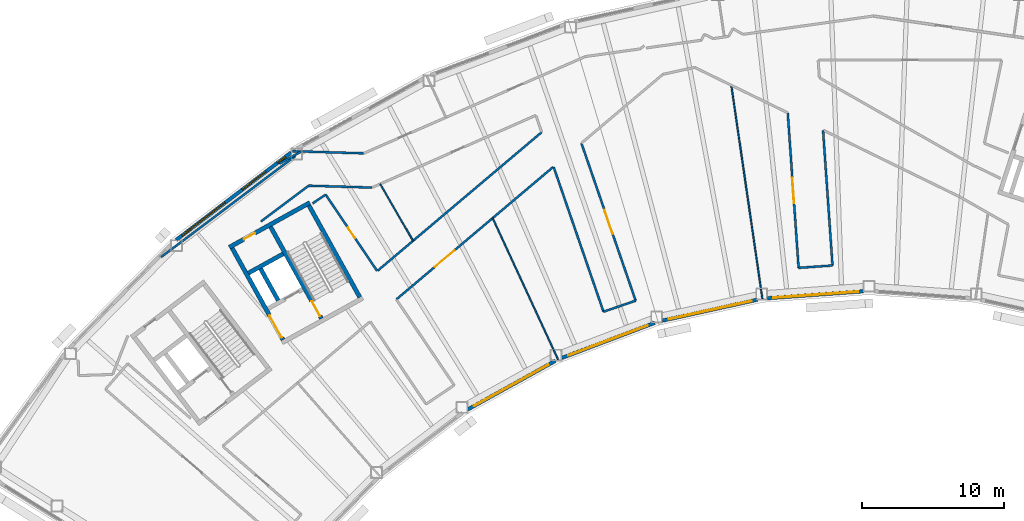
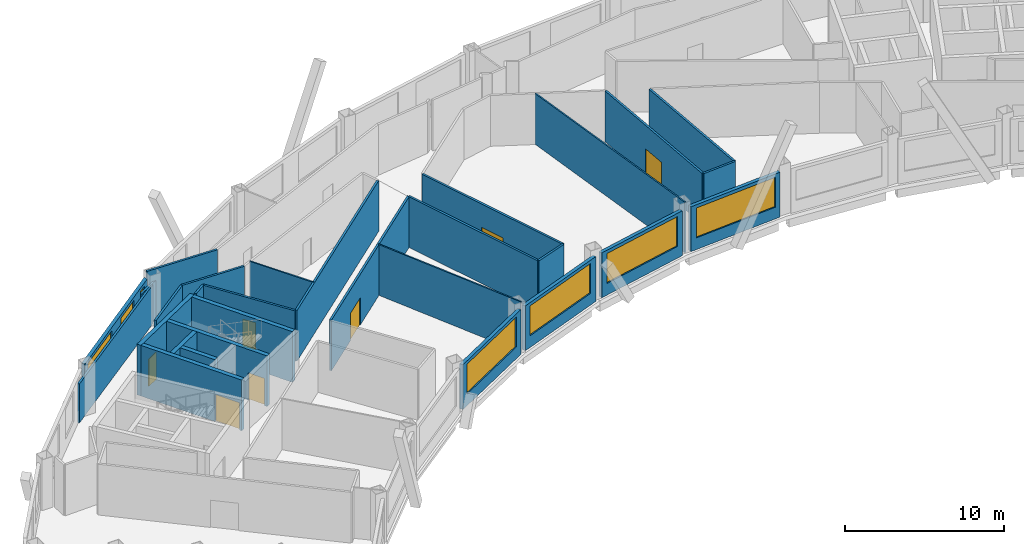
# One storey, part 6 of 14: 29 walls, 7 doors, 7 windows, 14 openings.
"""IFC4 building model written with IfcOpenShell, lengths in metres."""

from ifc_helpers import new_model, si_unit, direction, frame, frame_2d, origin, place, context, subcontext, project, spatial, rectangle, extrude, material, layer, layer_set, type_object, element, fill, save


model = new_model("IFC4")

# Units and contexts
model_context = context("Model", 3, precision=1e-05, world=origin(), true_north=direction((0.0, 1.0)))
body_context = subcontext(model_context, "Body", "Model", "MODEL_VIEW")
ifc_project = project(units=[si_unit("LENGTHUNIT", "METRE"), si_unit("AREAUNIT", "SQUARE_METRE"), si_unit("VOLUMEUNIT", "CUBIC_METRE"), si_unit("PLANEANGLEUNIT", "RADIAN"), si_unit("MASSUNIT", "GRAM", prefix="KILO")], contexts=[model_context])

# Site, building, storey
site_placement = place(None, origin())
site = spatial("IfcSite", under=ifc_project, at=site_placement, CompositionType="ELEMENT")
building_placement = place(site_placement, origin())
building = spatial("IfcBuilding", under=site, at=building_placement, Name="Tuul Gate Civic Tower", CompositionType="ELEMENT")
storey_placement = place(building_placement, frame((0.0, 0.0, 256.800048828125)))
storey = spatial("IfcBuildingStorey", under=building, at=storey_placement, Name="Level 58", CompositionType="ELEMENT", Elevation=256.800048828125)

# Wall
ifc_material_1 = material(Name="Concrete C50/60", Category="concrete")
ifc_layer_1 = layer(ifc_material_1, 0.300048828125)
ifc_layer_set_1 = layer_set([ifc_layer_1], Name="Concrete C50/60")
wall_type_1 = type_object("IfcWallType", Name="Core wall C50/60", PredefinedType="SHEAR", material=ifc_layer_set_1)
wall_1_placement = place(storey_placement, frame((-30.327392578125, -5.59716796875, 0.0), z_axis=(0.0, 0.0, 1.0), x_axis=(-0.874629840737, -0.484791338301, 0.0)))
element("IfcWall", 1, at=wall_1_placement, inside=storey, type_object=wall_type_1, Name="Core wall", PredefinedType="SHEAR", context=body_context, shape_type="SweptSolid", body=[
    extrude(rectangle(XDim=2.800048828125, YDim=0.300048828125, at=frame_2d((1.39990234375, 0.0))), origin(), (0.0, 0.0, 1.0), 3.89990234375),
])

# Wall, opening, door
wall_2_placement = place(storey_placement, frame((-28.4443359375, -1.98095703125, 0.0), z_axis=(0.0, 0.0, 1.0), x_axis=(-0.874629909008, -0.484791215132, 0.0)))
wall_2 = element("IfcWall", 2, at=wall_2_placement, inside=storey, type_object=wall_type_1, Name="Core wall", PredefinedType="SHEAR", context=body_context, shape_type="SweptSolid", body=[
    extrude(rectangle(XDim=6.5, YDim=0.300048828125, at=frame_2d((3.25, 0.0))), origin(), (0.0, 0.0, 1.0), 3.89990234375),
])
opening_1_placement = place(wall_2_placement, frame((4.425048828125, 0.0, 0.0)))
opening_1 = element("IfcOpeningElement", 3, at=opening_1_placement, cuts=wall_2, Name="Opening V-D27", PredefinedType="OPENING", context=body_context, shape_type="SweptSolid", body=[
    extrude(rectangle(XDim=0.89990234375, YDim=2.10009765625, at=frame_2d((0.449951171875, 1.050048828125))), frame((0.0, 0.16015625, 0.0), z_axis=(0.0, -1.0, 0.0), x_axis=(1.0, 0.0, 0.0)), (0.0, 0.0, 1.0), 0.320068359375),
])
ifc_material_2 = material(Name="Timber door leaf", Category="wood")
door_type_1 = type_object("IfcDoorType", Name="Door D09", OperationType="NOTDEFINED", PredefinedType="DOOR", material=ifc_material_2)
door_1_placement = place(opening_1_placement, origin())
door_1 = element("IfcDoor", 4, at=door_1_placement, inside=storey, type_object=door_type_1, Name="Door V-D27", OperationType="SINGLE_SWING_LEFT", OverallHeight=2.10009765625, OverallWidth=0.89990234375, PredefinedType="DOOR", context=body_context, shape_type="SweptSolid", body=[
    extrude(rectangle(XDim=0.89990234375, YDim=2.10009765625, at=frame_2d((0.449951171875, 1.050048828125))), frame((0.0, 0.02490234375, 0.0), z_axis=(0.0, -1.0, 0.0), x_axis=(1.0, 0.0, 0.0)), (0.0, 0.0, 1.0), 0.050048828125),
])
fill(opening_1, door_1)

# Wall
wall_3_placement = place(storey_placement, frame((-24.91552734375, -8.6572265625, 0.0), z_axis=(0.0, 0.0, 1.0), x_axis=(-0.484777133038, 0.874637714304, 0.0)))
element("IfcWall", 5, at=wall_3_placement, inside=storey, type_object=wall_type_1, Name="Core wall", PredefinedType="SHEAR", context=body_context, shape_type="SweptSolid", body=[
    extrude(rectangle(XDim=7.400146484375, YDim=0.300048828125, at=frame_2d((3.7001953125, 0.0))), origin(), (0.0, 0.0, 1.0), 3.89990234375),
])

# Wall, opening, door
wall_4_placement = place(storey_placement, frame((-27.626953125, -10.16015625, 0.0), z_axis=(0.0, 0.0, 1.0), x_axis=(-0.484751894226, 0.874651702704, 0.0)))
wall_4 = element("IfcWall", 6, at=wall_4_placement, inside=storey, type_object=wall_type_1, Name="Core wall", PredefinedType="SHEAR", context=body_context, shape_type="SweptSolid", body=[
    extrude(rectangle(XDim=7.39990234375, YDim=0.300048828125, at=frame_2d((3.699951171875, 0.0))), origin(), (0.0, 0.0, 1.0), 3.89990234375),
])
opening_2_placement = place(wall_4_placement, frame((0.199951171875, 0.0, 0.0)))
opening_2 = element("IfcOpeningElement", 7, at=opening_2_placement, cuts=wall_4, Name="Opening SD-ST-2", PredefinedType="OPENING", context=body_context, shape_type="SweptSolid", body=[
    extrude(rectangle(XDim=1.199951171875, YDim=2.10009765625, at=frame_2d((0.60009765625, 1.050048828125))), frame((0.0, 0.16015625, 0.0), z_axis=(0.0, -1.0, 0.0), x_axis=(1.0, 0.0, 0.0)), (0.0, 0.0, 1.0), 0.320068359375),
])
ifc_material_3 = material(Name="Steel", Category="steel")
door_type_2 = type_object("IfcDoorType", Name="Stair door", OperationType="NOTDEFINED", PredefinedType="DOOR", material=ifc_material_3)
door_2_placement = place(opening_2_placement, origin())
door_2 = element("IfcDoor", 8, at=door_2_placement, inside=storey, type_object=door_type_2, Name="Stair door ST-2", OperationType="SINGLE_SWING_LEFT", OverallHeight=2.10009765625, OverallWidth=1.199951171875, PredefinedType="DOOR", context=body_context, shape_type="SweptSolid", body=[
    extrude(rectangle(XDim=1.199951171875, YDim=2.10009765625, at=frame_2d((0.60009765625, 1.050048828125))), frame((0.0, 0.02490234375, 0.0), z_axis=(0.0, -1.0, 0.0), x_axis=(1.0, 0.0, 0.0)), (0.0, 0.0, 1.0), 0.050048828125),
])
fill(opening_2, door_2)

# Wall
wall_5_placement = place(storey_placement, frame((-30.680419921875, -8.8798828125, 0.0), z_axis=(0.0, 0.0, 1.0), x_axis=(-0.484724115216, 0.874667097888, 0.0)))
element("IfcWall", 9, at=wall_5_placement, inside=storey, type_object=wall_type_1, Name="Core wall", PredefinedType="SHEAR", context=body_context, shape_type="SweptSolid", body=[
    extrude(rectangle(XDim=2.550048828125, YDim=0.300048828125, at=frame_2d((1.27490234375, 0.0))), origin(), (0.0, 0.0, 1.0), 3.89990234375),
])

# Wall, opening, door
wall_6_placement = place(storey_placement, frame((-30.33837890625, -11.6630859375, 0.0), z_axis=(0.0, 0.0, 1.0), x_axis=(-0.484751894226, 0.874651702704, 0.0)))
wall_6 = element("IfcWall", 10, at=wall_6_placement, inside=storey, type_object=wall_type_1, Name="Core wall", PredefinedType="SHEAR", context=body_context, shape_type="SweptSolid", body=[
    extrude(rectangle(XDim=7.39990234375, YDim=0.300048828125, at=frame_2d((3.699951171875, 0.0))), origin(), (0.0, 0.0, 1.0), 3.89990234375),
])
opening_3_placement = place(wall_6_placement, frame((0.175048828125, 0.0, 0.0)))
opening_3 = element("IfcOpeningElement", 11, at=opening_3_placement, cuts=wall_6, Name="Opening LB-W2-FLOBBY-1", PredefinedType="OPENING", context=body_context, shape_type="SweptSolid", body=[
    extrude(rectangle(XDim=1.800048828125, YDim=2.10009765625, at=frame_2d((0.89990234375, 1.050048828125))), frame((0.0, 0.16015625, 0.0), z_axis=(0.0, -1.0, 0.0), x_axis=(1.0, 0.0, 0.0)), (0.0, 0.0, 1.0), 0.320068359375),
])
ifc_material_4 = material(Name="Steel", Category="steel")
door_type_3 = type_object("IfcDoorType", Name="Lobby door", OperationType="DOUBLE_DOOR_SINGLE_SWING", PredefinedType="DOOR", material=ifc_material_4)
door_3_placement = place(opening_3_placement, origin())
door_3 = element("IfcDoor", 12, at=door_3_placement, inside=storey, type_object=door_type_3, Name="Lobby door W2-FLOBBY", OperationType="DOUBLE_DOOR_SINGLE_SWING", OverallHeight=2.10009765625, OverallWidth=1.800048828125, PredefinedType="DOOR", context=body_context, shape_type="SweptSolid", body=[
    extrude(rectangle(XDim=1.800048828125, YDim=2.10009765625, at=frame_2d((0.89990234375, 1.050048828125))), frame((0.0, 0.02490234375, 0.0), z_axis=(0.0, -1.0, 0.0), x_axis=(1.0, 0.0, 0.0)), (0.0, 0.0, 1.0), 0.050048828125),
])
fill(opening_3, door_3)

# Walls
ifc_material_5 = material(Name="Gypsum board partition")
ifc_layer_2 = layer(ifc_material_5, 0.14990234375)
ifc_layer_set_2 = layer_set([ifc_layer_2], Name="Gypsum board partition")
wall_type_2 = type_object("IfcWallType", Name="Corridor wall P150", PredefinedType="PARTITIONING", material=ifc_layer_set_2)
wall_7_placement = place(storey_placement, frame((-23.667724609375, -6.7958984375, 0.0), z_axis=(0.0, 0.0, 1.0), x_axis=(0.76403891286, 0.645170163317, 0.0)))
element("IfcWall", 13, at=wall_7_placement, inside=storey, type_object=wall_type_2, Name="p031", PredefinedType="PARTITIONING", context=body_context, shape_type="SweptSolid", body=[
    extrude(rectangle(XDim=15.15966796875, YDim=0.14990234375, at=frame_2d((7.579833984375, 0.0))), origin(), (0.0, 0.0, 1.0), 3.89990234375),
])
wall_8_placement = place(storey_placement, frame((-29.652587890625, 1.65185546875, 0.0), z_axis=(0.0, 0.0, 1.0), x_axis=(0.999549719326, -0.03000597598, 0.0)))
element("IfcWall", 14, at=wall_8_placement, inside=storey, type_object=wall_type_2, Name="p034", PredefinedType="PARTITIONING", context=body_context, shape_type="SweptSolid", body=[
    extrude(rectangle(XDim=5.011962890625, YDim=0.14990234375, at=frame_2d((2.505859375, 0.0))), origin(), (0.0, 0.0, 1.0), 3.89990234375),
])

# Wall, opening, door
wall_9_placement = place(storey_placement, frame((5.298583984375, 4.349365234375, 0.0), z_axis=(0.0, 0.0, 1.0), x_axis=(0.06974622138, -0.997564767122, 0.0)))
wall_9 = element("IfcWall", 15, at=wall_9_placement, inside=storey, type_object=wall_type_2, Name="p065", PredefinedType="PARTITIONING", context=body_context, shape_type="SweptSolid", body=[
    extrude(rectangle(XDim=10.959716796875, YDim=0.14990234375, at=frame_2d((5.47998046875, 0.0))), origin(), (0.0, 0.0, 1.0), 3.89990234375),
])
opening_4_placement = place(wall_9_placement, frame((4.579833984375, 0.0, 0.0)))
opening_4 = element("IfcOpeningElement", 16, at=opening_4_placement, cuts=wall_9, Name="Opening V-D12", PredefinedType="OPENING", context=body_context, shape_type="SweptSolid", body=[
    extrude(rectangle(XDim=1.800048828125, YDim=2.10009765625, at=frame_2d((0.89990234375, 1.050048828125))), frame((0.0, 0.0849609375, 0.0), z_axis=(0.0, -1.0, 0.0), x_axis=(1.0, 0.0, 0.0)), (0.0, 0.0, 1.0), 0.169921875),
])
ifc_material_6 = material(Name="Timber door leaf, double", Category="wood")
door_type_4 = type_object("IfcDoorType", Name="Door D18", OperationType="DOUBLE_DOOR_SINGLE_SWING", PredefinedType="DOOR", material=ifc_material_6)
door_4_placement = place(opening_4_placement, frame((1.800048828125, 0.0, 0.0), z_axis=(0.0, 0.0, 1.0), x_axis=(-1.0, 0.0, 0.0)))
door_4 = element("IfcDoor", 17, at=door_4_placement, inside=storey, type_object=door_type_4, Name="Door V-D12", OperationType="DOUBLE_DOOR_SINGLE_SWING", OverallHeight=2.10009765625, OverallWidth=1.800048828125, PredefinedType="DOOR", context=body_context, shape_type="SweptSolid", body=[
    extrude(rectangle(XDim=1.800048828125, YDim=2.10009765625, at=frame_2d((0.900146484375, 1.050048828125))), frame((0.0, 0.02490234375, 0.0), z_axis=(0.0, -1.0, 0.0), x_axis=(1.0, 0.0, 0.0)), (0.0, 0.0, 1.0), 0.050048828125),
])
fill(opening_4, door_4)

# Walls
wall_10_placement = place(storey_placement, frame((6.063720703125, -6.583984375, 0.0), z_axis=(0.0, 0.0, 1.0), x_axis=(0.997567042248, 0.069713673122, 0.0)))
element("IfcWall", 18, at=wall_10_placement, inside=storey, type_object=wall_type_2, Name="p066", PredefinedType="PARTITIONING", context=body_context, shape_type="SweptSolid", body=[
    extrude(rectangle(XDim=2.39892578125, YDim=0.14990234375, at=frame_2d((1.199462890625, 0.0))), origin(), (0.0, 0.0, 1.0), 3.89990234375),
])
wall_11_placement = place(storey_placement, frame((7.791015625, 3.109619140625, 0.0), z_axis=(0.0, 0.0, 1.0), x_axis=(0.069771628501, -0.99756299042, 0.0)))
element("IfcWall", 19, at=wall_11_placement, inside=storey, type_object=wall_type_2, Name="p068", PredefinedType="PARTITIONING", context=body_context, shape_type="SweptSolid", body=[
    extrude(rectangle(XDim=9.549072265625, YDim=0.14990234375, at=frame_2d((4.7744140625, 0.0))), origin(), (0.0, 0.0, 1.0), 3.89990234375),
])

# Wall, opening, door
wall_12_placement = place(storey_placement, frame((-22.321044921875, -8.800048828125, 0.0), z_axis=(0.0, 0.0, 1.0), x_axis=(0.764036380791, 0.645173161894, 0.0)))
wall_12 = element("IfcWall", 20, at=wall_12_placement, inside=storey, type_object=wall_type_2, Name="p070", PredefinedType="PARTITIONING", context=body_context, shape_type="SweptSolid", body=[
    extrude(rectangle(XDim=14.478271484375, YDim=0.14990234375, at=frame_2d((7.2392578125, 0.0))), origin(), (0.0, 0.0, 1.0), 3.89990234375),
])
opening_5_placement = place(wall_12_placement, frame((3.53857421875, 0.0, 0.0)))
opening_5 = element("IfcOpeningElement", 21, at=opening_5_placement, cuts=wall_12, Name="Opening V-D14", PredefinedType="OPENING", context=body_context, shape_type="SweptSolid", body=[
    extrude(rectangle(XDim=1.800048828125, YDim=2.10009765625, at=frame_2d((0.89990234375, 1.050048828125))), frame((0.0, 0.0849609375, 0.0), z_axis=(0.0, -1.0, 0.0), x_axis=(1.0, 0.0, 0.0)), (0.0, 0.0, 1.0), 0.169921875),
])
door_5_placement = place(opening_5_placement, frame((1.800048828125, 0.0, 0.0), z_axis=(0.0, 0.0, 1.0), x_axis=(-1.0, 0.0, 0.0)))
door_5 = element("IfcDoor", 22, at=door_5_placement, inside=storey, type_object=door_type_4, Name="Door V-D14", OperationType="DOUBLE_DOOR_SINGLE_SWING", OverallHeight=2.10009765625, OverallWidth=1.800048828125, PredefinedType="DOOR", context=body_context, shape_type="SweptSolid", body=[
    extrude(rectangle(XDim=1.800048828125, YDim=2.10009765625, at=frame_2d((0.900146484375, 1.050048828125))), frame((0.0, 0.02490234375, 0.0), z_axis=(0.0, -1.0, 0.0), x_axis=(1.0, 0.0, 0.0)), (0.0, 0.0, 1.0), 0.050048828125),
])
fill(opening_5, door_5)

# Walls
wall_13_placement = place(storey_placement, frame((-11.227294921875, 0.5322265625, 0.0), z_axis=(0.0, 0.0, 1.0), x_axis=(0.325569251577, -0.94551819783, 0.0)))
element("IfcWall", 23, at=wall_13_placement, inside=storey, type_object=wall_type_2, Name="p073", PredefinedType="PARTITIONING", context=body_context, shape_type="SweptSolid", body=[
    extrude(rectangle(XDim=10.80224609375, YDim=0.14990234375, at=frame_2d((5.401123046875, 0.0))), origin(), (0.0, 0.0, 1.0), 3.89990234375),
])
wall_14_placement = place(storey_placement, frame((-7.709716796875, -9.681640625, 0.0), z_axis=(0.0, 0.0, 1.0), x_axis=(0.945523207391, 0.325554702448, 0.0)))
element("IfcWall", 24, at=wall_14_placement, inside=storey, type_object=wall_type_2, Name="p074", PredefinedType="PARTITIONING", context=body_context, shape_type="SweptSolid", body=[
    extrude(rectangle(XDim=2.39892578125, YDim=0.14990234375, at=frame_2d((1.199462890625, 0.0))), origin(), (0.0, 0.0, 1.0), 3.89990234375),
])

# Wall, opening, door
wall_15_placement = place(storey_placement, frame((-9.265869140625, 2.20751953125, 0.0), z_axis=(0.0, 0.0, 1.0), x_axis=(0.325576903669, -0.945515562959, 0.0)))
wall_15 = element("IfcWall", 25, at=wall_15_placement, inside=storey, type_object=wall_type_2, Name="p075", PredefinedType="PARTITIONING", context=body_context, shape_type="SweptSolid", body=[
    extrude(rectangle(XDim=11.74755859375, YDim=0.14990234375, at=frame_2d((5.873779296875, 0.0))), origin(), (0.0, 0.0, 1.0), 3.89990234375),
])
opening_6_placement = place(wall_15_placement, frame((4.9736328125, 0.0, 0.0)))
opening_6 = element("IfcOpeningElement", 26, at=opening_6_placement, cuts=wall_15, Name="Opening V-D13", PredefinedType="OPENING", context=body_context, shape_type="SweptSolid", body=[
    extrude(rectangle(XDim=1.800048828125, YDim=2.10009765625, at=frame_2d((0.89990234375, 1.050048828125))), frame((0.0, 0.0849609375, 0.0), z_axis=(0.0, -1.0, 0.0), x_axis=(1.0, 0.0, 0.0)), (0.0, 0.0, 1.0), 0.169921875),
])
door_6_placement = place(opening_6_placement, origin())
door_6 = element("IfcDoor", 27, at=door_6_placement, inside=storey, type_object=door_type_4, Name="Door V-D13", OperationType="DOUBLE_DOOR_SINGLE_SWING", OverallHeight=2.10009765625, OverallWidth=1.800048828125, PredefinedType="DOOR", context=body_context, shape_type="SweptSolid", body=[
    extrude(rectangle(XDim=1.800048828125, YDim=2.10009765625, at=frame_2d((0.89990234375, 1.050048828125))), frame((0.0, 0.02490234375, 0.0), z_axis=(0.0, -1.0, 0.0), x_axis=(1.0, 0.0, 0.0)), (0.0, 0.0, 1.0), 0.050048828125),
])
fill(opening_6, door_6)

wall_16_placement = place(storey_placement, frame((-27.324951171875, -1.41357421875, 0.0), z_axis=(0.0, 0.0, 1.0), x_axis=(0.559181972212, -0.829044945678, 0.0)))
wall_16 = element("IfcWall", 28, at=wall_16_placement, inside=storey, type_object=wall_type_2, Name="p080", PredefinedType="PARTITIONING", context=body_context, shape_type="SweptSolid", body=[
    extrude(rectangle(XDim=6.487548828125, YDim=0.14990234375, at=frame_2d((3.24365234375, 0.0))), origin(), (0.0, 0.0, 1.0), 3.89990234375),
])
opening_7_placement = place(wall_16_placement, frame((2.793701171875, 0.0, 0.0)))
opening_7 = element("IfcOpeningElement", 29, at=opening_7_placement, cuts=wall_16, Name="Opening V-D23", PredefinedType="OPENING", context=body_context, shape_type="SweptSolid", body=[
    extrude(rectangle(XDim=0.89990234375, YDim=2.10009765625, at=frame_2d((0.449951171875, 1.050048828125))), frame((0.0, 0.0849609375, 0.0), z_axis=(0.0, -1.0, 0.0), x_axis=(1.0, 0.0, 0.0)), (0.0, 0.0, 1.0), 0.169921875),
])
door_7_placement = place(opening_7_placement, frame((0.89990234375, 0.0, 0.0), z_axis=(0.0, 0.0, 1.0), x_axis=(-1.0, 0.0, 0.0)))
door_7 = element("IfcDoor", 30, at=door_7_placement, inside=storey, type_object=door_type_1, Name="Door V-D23", OperationType="SINGLE_SWING_LEFT", OverallHeight=2.10009765625, OverallWidth=0.89990234375, PredefinedType="DOOR", context=body_context, shape_type="SweptSolid", body=[
    extrude(rectangle(XDim=0.89990234375, YDim=2.10009765625, at=frame_2d((0.449951171875, 1.050048828125))), frame((0.0, 0.02490234375, 0.0), z_axis=(0.0, -1.0, 0.0), x_axis=(1.0, 0.0, 0.0)), (0.0, 0.0, 1.0), 0.050048828125),
])
fill(opening_7, door_7)

# Walls
wall_17_placement = place(storey_placement, frame((-31.898193359375, -3.31201171875, 0.0), z_axis=(0.0, 0.0, 1.0), x_axis=(0.799804939992, 0.600259991974, 0.0)))
element("IfcWall", 31, at=wall_17_placement, inside=storey, type_object=wall_type_2, Name="p100", PredefinedType="PARTITIONING", context=body_context, shape_type="SweptSolid", body=[
    extrude(rectangle(XDim=4.206298828125, YDim=0.14990234375, at=frame_2d((2.10302734375, 0.0))), origin(), (0.0, 0.0, 1.0), 3.89990234375),
])
wall_18_placement = place(storey_placement, frame((-28.521240234375, -0.783203125, 0.0), z_axis=(0.0, 0.0, 1.0), x_axis=(0.999549762781, -0.030004528392, 0.0)))
element("IfcWall", 32, at=wall_18_placement, inside=storey, type_object=wall_type_2, Name="p101", PredefinedType="PARTITIONING", context=body_context, shape_type="SweptSolid", body=[
    extrude(rectangle(XDim=4.467041015625, YDim=0.14990234375, at=frame_2d((2.2333984375, 0.0))), origin(), (0.0, 0.0, 1.0), 3.89990234375),
])
wall_19_placement = place(storey_placement, frame((-28.24365234375, -2.03271484375, 0.0), z_axis=(0.0, 0.0, 1.0), x_axis=(0.828950894208, 0.559321387927, 0.0)))
element("IfcWall", 33, at=wall_19_placement, inside=storey, type_object=wall_type_2, Name="p102", PredefinedType="PARTITIONING", context=body_context, shape_type="SweptSolid", body=[
    extrude(rectangle(XDim=1.107421875, YDim=0.14990234375, at=frame_2d((0.5537109375, 0.0))), origin(), (0.0, 0.0, 1.0), 3.89990234375),
])
ifc_material_7 = material(Name="Gypsum board partition")
ifc_layer_3 = layer(ifc_material_7, 0.14990234375)
ifc_layer_set_3 = layer_set([ifc_layer_3], Name="Gypsum board partition")
wall_type_3 = type_object("IfcWallType", Name="Corridor wall P150 3000 HIGH", PredefinedType="PARTITIONING", material=ifc_layer_set_3)
wall_20_placement = place(storey_placement, frame((-38.935546875, -5.822021484375, 0.0), z_axis=(0.0, 0.0, 1.0), x_axis=(0.798619297232, 0.601836537682, 0.0)))
element("IfcWall", 34, at=wall_20_placement, inside=storey, type_object=wall_type_3, Name="p035", PredefinedType="PARTITIONING", context=body_context, shape_type="SweptSolid", body=[
    extrude(rectangle(XDim=11.858154296875, YDim=0.14990234375, at=frame_2d((5.92919921875, 0.0))), origin(), (0.0, 0.0, 1.0), 3.0),
])
wall_21_placement = place(storey_placement, frame((-30.58740234375, 0.777099609375, 0.0), z_axis=(0.0, 0.0, 1.0), x_axis=(0.874598545717, 0.484847794498, 0.0)))
element("IfcWall", 35, at=wall_21_placement, inside=storey, type_object=wall_type_3, Name="p037", PredefinedType="PARTITIONING", context=body_context, shape_type="SweptSolid", body=[
    extrude(rectangle(XDim=1.825439453125, YDim=0.14990234375, at=frame_2d((0.91259765625, 0.0))), origin(), (0.0, 0.0, 1.0), 3.0),
])

# Wall, openings, windows
ifc_material_8 = material(Name="Precast concrete C40/50", Category="concrete")
ifc_layer_4 = layer(ifc_material_8, 0.25)
ifc_layer_set_4 = layer_set([ifc_layer_4], Name="Precast concrete C40/50")
wall_type_4 = type_object("IfcWallType", Name="External wall", PredefinedType="STANDARD", material=ifc_layer_set_4)
wall_22_placement = place(storey_placement, frame((-29.77099609375, 1.555419921875, 0.0), z_axis=(0.0, 0.0, 1.0), x_axis=(-0.795654969417, -0.605750088437, 0.0)))
wall_22 = element("IfcWall", 36, at=wall_22_placement, inside=storey, type_object=wall_type_4, Name="External wall", PredefinedType="STANDARD", context=body_context, shape_type="SweptSolid", body=[
    extrude(rectangle(XDim=10.189697265625, YDim=0.25, at=frame_2d((5.0947265625, 0.0))), origin(), (0.0, 0.0, 1.0), 3.449951171875),
])
opening_8_placement = place(wall_22_placement, frame((5.843994140625, 0.0, 0.89990234375)))
opening_8 = element("IfcOpeningElement", 37, at=opening_8_placement, cuts=wall_22, Name="Opening W22", PredefinedType="OPENING", context=body_context, shape_type="SweptSolid", body=[
    extrude(rectangle(XDim=3.85009765625, YDim=2.300048828125, at=frame_2d((1.925048828125, 1.14990234375))), frame((0.0, 0.135009765625, 0.0), z_axis=(0.0, -1.0, 0.0), x_axis=(1.0, 0.0, 0.0)), (0.0, 0.0, 1.0), 0.27001953125),
])
opening_9_placement = place(wall_22_placement, frame((0.507080078125, 0.0, 0.89990234375)))
opening_9 = element("IfcOpeningElement", 38, at=opening_9_placement, cuts=wall_22, Name="Opening W70", PredefinedType="OPENING", context=body_context, shape_type="SweptSolid", body=[
    extrude(rectangle(XDim=0.699951171875, YDim=2.300048828125, at=frame_2d((0.35009765625, 1.14990234375))), frame((0.0, 0.135009765625, 0.0), z_axis=(0.0, -1.0, 0.0), x_axis=(1.0, 0.0, 0.0)), (0.0, 0.0, 1.0), 0.27001953125),
])
opening_10_placement = place(wall_22_placement, frame((2.217529296875, 0.0, 0.89990234375)))
opening_10 = element("IfcOpeningElement", 39, at=opening_10_placement, cuts=wall_22, Name="Opening W40", PredefinedType="OPENING", context=body_context, shape_type="SweptSolid", body=[
    extrude(rectangle(XDim=2.10009765625, YDim=2.300048828125, at=frame_2d((1.050048828125, 1.14990234375))), frame((0.0, 0.135009765625, 0.0), z_axis=(0.0, -1.0, 0.0), x_axis=(1.0, 0.0, 0.0)), (0.0, 0.0, 1.0), 0.27001953125),
])
ifc_material_9 = material(Name="Glass", Category="glass")
window_type_1 = type_object("IfcWindowType", Name="Window 2100 x 2300", PartitioningType="SINGLE_PANEL", PredefinedType="WINDOW", material=ifc_material_9)
window_1_placement = place(opening_10_placement, origin())
window_1 = element("IfcWindow", 40, at=window_1_placement, inside=storey, type_object=window_type_1, Name="Window", OverallHeight=2.300048828125, OverallWidth=2.10009765625, PartitioningType="SINGLE_PANEL", PredefinedType="WINDOW", context=body_context, shape_type="SweptSolid", body=[
    extrude(rectangle(XDim=2.10009765625, YDim=2.300048828125, at=frame_2d((1.050048828125, 1.14990234375))), frame((0.0, 0.030029296875, 0.0), z_axis=(0.0, -1.0, 0.0), x_axis=(1.0, 0.0, 0.0)), (0.0, 0.0, 1.0), 0.06005859375),
])
fill(opening_10, window_1)
ifc_material_10 = material(Name="Glass", Category="glass")
window_type_2 = type_object("IfcWindowType", Name="Window 700 x 2300", PartitioningType="SINGLE_PANEL", PredefinedType="WINDOW", material=ifc_material_10)
window_2_placement = place(opening_9_placement, origin())
window_2 = element("IfcWindow", 41, at=window_2_placement, inside=storey, type_object=window_type_2, Name="Window", OverallHeight=2.300048828125, OverallWidth=0.699951171875, PartitioningType="SINGLE_PANEL", PredefinedType="WINDOW", context=body_context, shape_type="SweptSolid", body=[
    extrude(rectangle(XDim=0.699951171875, YDim=2.300048828125, at=frame_2d((0.35009765625, 1.14990234375))), frame((0.0, 0.030029296875, 0.0), z_axis=(0.0, -1.0, 0.0), x_axis=(1.0, 0.0, 0.0)), (0.0, 0.0, 1.0), 0.06005859375),
])
fill(opening_9, window_2)
ifc_material_11 = material(Name="Glass", Category="glass")
window_type_3 = type_object("IfcWindowType", Name="Window W22 3850 x 2300", PartitioningType="SINGLE_PANEL", PredefinedType="WINDOW", material=ifc_material_11)
window_3_placement = place(opening_8_placement, origin())
window_3 = element("IfcWindow", 42, at=window_3_placement, inside=storey, type_object=window_type_3, Name="Window", OverallHeight=2.300048828125, OverallWidth=3.85009765625, PartitioningType="SINGLE_PANEL", PredefinedType="WINDOW", context=body_context, shape_type="SweptSolid", body=[
    extrude(rectangle(XDim=3.85009765625, YDim=2.300048828125, at=frame_2d((1.925048828125, 1.14990234375))), frame((0.0, 0.030029296875, 0.0), z_axis=(0.0, -1.0, 0.0), x_axis=(1.0, 0.0, 0.0)), (0.0, 0.0, 1.0), 0.06005859375),
])
fill(opening_8, window_3)

# Wall, opening, window
wall_23_placement = place(storey_placement, frame((-17.2958984375, -16.580322265625, 0.0), z_axis=(0.0, 0.0, 1.0), x_axis=(0.87461248151, 0.484822655398, 0.0)))
wall_23 = element("IfcWall", 43, at=wall_23_placement, inside=storey, type_object=wall_type_4, Name="External wall", PredefinedType="STANDARD", context=body_context, shape_type="SweptSolid", body=[
    extrude(rectangle(XDim=7.07763671875, YDim=0.25, at=frame_2d((3.538818359375, 0.0))), origin(), (0.0, 0.0, 1.0), 3.449951171875),
])
opening_11_placement = place(wall_23_placement, frame((0.51904296875, 0.0, 0.89990234375)))
opening_11 = element("IfcOpeningElement", 44, at=opening_11_placement, cuts=wall_23, Name="Opening W26", PredefinedType="OPENING", context=body_context, shape_type="SweptSolid", body=[
    extrude(rectangle(XDim=6.0, YDim=2.300048828125, at=frame_2d((3.0, 1.14990234375))), frame((0.0, 0.135009765625, 0.0), z_axis=(0.0, -1.0, 0.0), x_axis=(1.0, 0.0, 0.0)), (0.0, 0.0, 1.0), 0.27001953125),
])
ifc_material_12 = material(Name="Glass", Category="glass")
window_type_4 = type_object("IfcWindowType", Name="Window W26 6000 x 2300", PartitioningType="SINGLE_PANEL", PredefinedType="WINDOW", material=ifc_material_12)
window_4_placement = place(opening_11_placement, origin())
window_4 = element("IfcWindow", 45, at=window_4_placement, inside=storey, type_object=window_type_4, Name="Window", OverallHeight=2.300048828125, OverallWidth=6.0, PartitioningType="SINGLE_PANEL", PredefinedType="WINDOW", context=body_context, shape_type="SweptSolid", body=[
    extrude(rectangle(XDim=6.0, YDim=2.300048828125, at=frame_2d((3.0, 1.14990234375))), frame((0.0, 0.030029296875, 0.0), z_axis=(0.0, -1.0, 0.0), x_axis=(1.0, 0.0, 0.0)), (0.0, 0.0, 1.0), 0.06005859375),
])
fill(opening_11, window_4)

wall_24_placement = place(storey_placement, frame((-10.656005859375, -12.94580078125, 0.0), z_axis=(0.0, 0.0, 1.0), x_axis=(0.935331393711, 0.353772785752, 0.0)))
wall_24 = element("IfcWall", 46, at=wall_24_placement, inside=storey, type_object=wall_type_4, Name="External wall", PredefinedType="STANDARD", context=body_context, shape_type="SweptSolid", body=[
    extrude(rectangle(XDim=7.014892578125, YDim=0.25, at=frame_2d((3.50732421875, 0.0))), origin(), (0.0, 0.0, 1.0), 3.449951171875),
])
opening_12_placement = place(wall_24_placement, frame((0.49169921875, 0.0, 0.89990234375)))
opening_12 = element("IfcOpeningElement", 47, at=opening_12_placement, cuts=wall_24, Name="Opening W26", PredefinedType="OPENING", context=body_context, shape_type="SweptSolid", body=[
    extrude(rectangle(XDim=6.0, YDim=2.300048828125, at=frame_2d((3.0, 1.14990234375))), frame((0.0, 0.135009765625, 0.0), z_axis=(0.0, -1.0, 0.0), x_axis=(1.0, 0.0, 0.0)), (0.0, 0.0, 1.0), 0.27001953125),
])
window_5_placement = place(opening_12_placement, origin())
window_5 = element("IfcWindow", 48, at=window_5_placement, inside=storey, type_object=window_type_4, Name="Window", OverallHeight=2.300048828125, OverallWidth=6.0, PartitioningType="SINGLE_PANEL", PredefinedType="WINDOW", context=body_context, shape_type="SweptSolid", body=[
    extrude(rectangle(XDim=6.0, YDim=2.300048828125, at=frame_2d((3.0, 1.14990234375))), frame((0.0, 0.030029296875, 0.0), z_axis=(0.0, -1.0, 0.0), x_axis=(1.0, 0.0, 0.0)), (0.0, 0.0, 1.0), 0.06005859375),
])
fill(opening_12, window_5)

wall_25_placement = place(storey_placement, frame((-3.554931640625, -10.308349609375, 0.0), z_axis=(0.0, 0.0, 1.0), x_axis=(0.976589118116, 0.215113212929, 0.0)))
wall_25 = element("IfcWall", 49, at=wall_25_placement, inside=storey, type_object=wall_type_4, Name="External wall", PredefinedType="STANDARD", context=body_context, shape_type="SweptSolid", body=[
    extrude(rectangle(XDim=6.8720703125, YDim=0.25, at=frame_2d((3.43603515625, 0.0))), origin(), (0.0, 0.0, 1.0), 3.449951171875),
])
opening_13_placement = place(wall_25_placement, frame((0.4580078125, 0.0, 0.89990234375)))
opening_13 = element("IfcOpeningElement", 50, at=opening_13_placement, cuts=wall_25, Name="Opening W26", PredefinedType="OPENING", context=body_context, shape_type="SweptSolid", body=[
    extrude(rectangle(XDim=6.0, YDim=2.300048828125, at=frame_2d((3.0, 1.14990234375))), frame((0.0, 0.135009765625, 0.0), z_axis=(0.0, -1.0, 0.0), x_axis=(1.0, 0.0, 0.0)), (0.0, 0.0, 1.0), 0.27001953125),
])
window_6_placement = place(opening_13_placement, origin())
window_6 = element("IfcWindow", 51, at=window_6_placement, inside=storey, type_object=window_type_4, Name="Window", OverallHeight=2.300048828125, OverallWidth=6.0, PartitioningType="SINGLE_PANEL", PredefinedType="WINDOW", context=body_context, shape_type="SweptSolid", body=[
    extrude(rectangle(XDim=6.0, YDim=2.300048828125, at=frame_2d((3.0, 1.14990234375))), frame((0.0, 0.030029296875, 0.0), z_axis=(0.0, -1.0, 0.0), x_axis=(1.0, 0.0, 0.0)), (0.0, 0.0, 1.0), 0.06005859375),
])
fill(opening_13, window_6)

wall_26_placement = place(storey_placement, frame((3.85888671875, -8.727294921875, 0.0), z_axis=(0.0, 0.0, 1.0), x_axis=(0.997384983798, 0.072271668677, 0.0)))
wall_26 = element("IfcWall", 52, at=wall_26_placement, inside=storey, type_object=wall_type_4, Name="External wall", PredefinedType="STANDARD", context=body_context, shape_type="SweptSolid", body=[
    extrude(rectangle(XDim=6.7900390625, YDim=0.25, at=frame_2d((3.39501953125, 0.0))), origin(), (0.0, 0.0, 1.0), 3.449951171875),
])
opening_14_placement = place(wall_26_placement, frame((0.41845703125, 0.0, 0.89990234375)))
opening_14 = element("IfcOpeningElement", 53, at=opening_14_placement, cuts=wall_26, Name="Opening W26", PredefinedType="OPENING", context=body_context, shape_type="SweptSolid", body=[
    extrude(rectangle(XDim=6.0, YDim=2.300048828125, at=frame_2d((3.0, 1.14990234375))), frame((0.0, 0.135009765625, 0.0), z_axis=(0.0, -1.0, 0.0), x_axis=(1.0, 0.0, 0.0)), (0.0, 0.0, 1.0), 0.27001953125),
])
window_7_placement = place(opening_14_placement, origin())
window_7 = element("IfcWindow", 54, at=window_7_placement, inside=storey, type_object=window_type_4, Name="Window", OverallHeight=2.300048828125, OverallWidth=6.0, PartitioningType="SINGLE_PANEL", PredefinedType="WINDOW", context=body_context, shape_type="SweptSolid", body=[
    extrude(rectangle(XDim=6.0, YDim=2.300048828125, at=frame_2d((3.0, 1.14990234375))), frame((0.0, 0.030029296875, 0.0), z_axis=(0.0, -1.0, 0.0), x_axis=(1.0, 0.0, 0.0)), (0.0, 0.0, 1.0), 0.06005859375),
])
fill(opening_14, window_7)

# Walls
ifc_material_13 = material(Name="Gypsum board partition")
ifc_layer_5 = layer(ifc_material_13, 0.10009765625)
ifc_layer_set_5 = layer_set([ifc_layer_5], Name="Gypsum board partition")
wall_type_5 = type_object("IfcWallType", Name="Partition P100", PredefinedType="PARTITIONING", material=ifc_layer_set_5)
wall_27_placement = place(storey_placement, frame((1.31298828125, 6.306884765625, 0.0), z_axis=(0.0, 0.0, 1.0), x_axis=(0.144092608408, -0.989564207216, 0.0)))
element("IfcWall", 55, at=wall_27_placement, inside=storey, type_object=wall_type_5, Name="p016", PredefinedType="PARTITIONING", context=body_context, shape_type="SweptSolid", body=[
    extrude(rectangle(XDim=15.2236328125, YDim=0.10009765625, at=frame_2d((7.61181640625, 0.0))), origin(), (0.0, 0.0, 1.0), 3.89990234375),
])
wall_28_placement = place(storey_placement, frame((-15.539306640625, -3.072998046875, 0.0), z_axis=(0.0, 0.0, 1.0), x_axis=(0.420281346935, -0.907393844711, 0.0)))
element("IfcWall", 56, at=wall_28_placement, inside=storey, type_object=wall_type_5, Name="p027", PredefinedType="PARTITIONING", context=body_context, shape_type="SweptSolid", body=[
    extrude(rectangle(XDim=10.995849609375, YDim=0.10009765625, at=frame_2d((5.498046875, 0.0))), origin(), (0.0, 0.0, 1.0), 3.89990234375),
])
wall_29_placement = place(storey_placement, frame((-23.4736328125, -0.660400390625, 0.0), z_axis=(0.0, 0.0, 1.0), x_axis=(0.499962560542, -0.866047018387, 0.0)))
element("IfcWall", 57, at=wall_29_placement, inside=storey, type_object=wall_type_5, Name="p098", PredefinedType="PARTITIONING", context=body_context, shape_type="SweptSolid", body=[
    extrude(rectangle(XDim=4.635498046875, YDim=0.10009765625, at=frame_2d((2.31787109375, 0.0))), origin(), (0.0, 0.0, 1.0), 3.89990234375),
])

save(model, "model.ifc")
